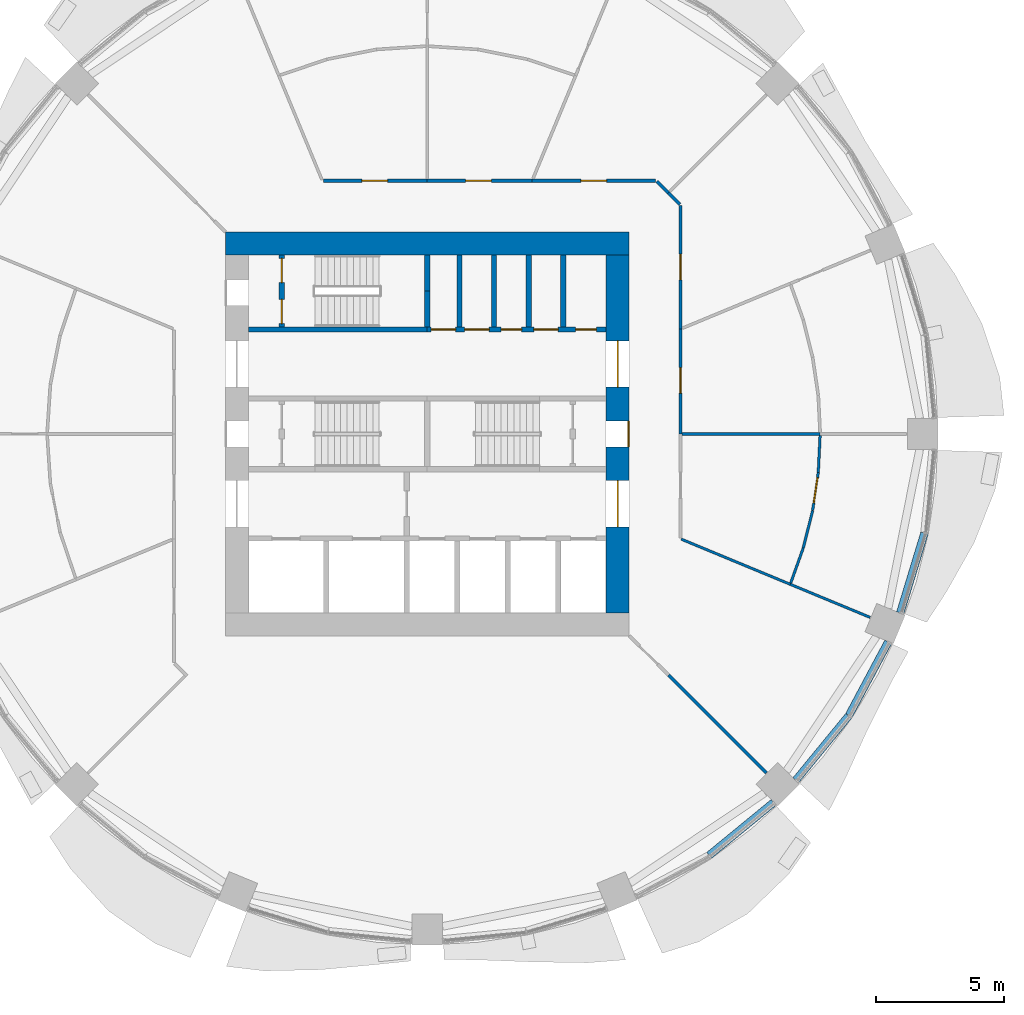
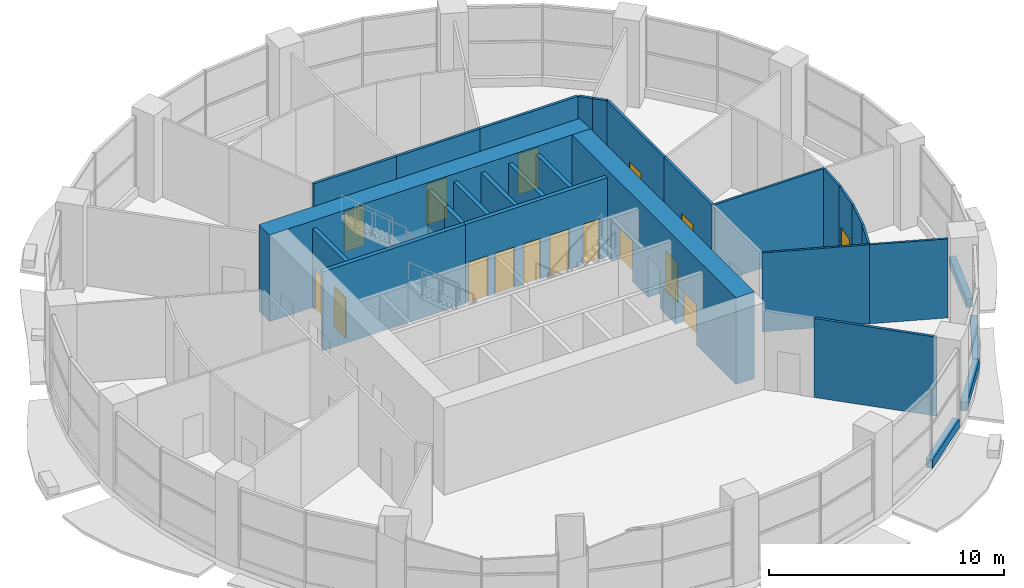
# One storey, part 9 of 14: 30 walls, 16 doors, 16 openings.
"""IFC4 building model written with IfcOpenShell, lengths in metres."""

from ifc_helpers import new_model, si_unit, direction, frame, frame_2d, origin, place, context, subcontext, project, spatial, rectangle, extrude, material, layer, layer_set, type_object, element, fill, save


model = new_model("IFC4")

# Units and contexts
model_context = context("Model", 3, precision=1e-05, world=origin(), true_north=direction((0.0, 1.0)))
body_context = subcontext(model_context, "Body", "Model", "MODEL_VIEW")
ifc_project = project(units=[si_unit("LENGTHUNIT", "METRE"), si_unit("AREAUNIT", "SQUARE_METRE"), si_unit("VOLUMEUNIT", "CUBIC_METRE"), si_unit("PLANEANGLEUNIT", "RADIAN"), si_unit("MASSUNIT", "GRAM", prefix="KILO")], contexts=[model_context])

# Site, building, storey
site_placement = place(None, origin())
site = spatial("IfcSite", under=ifc_project, at=site_placement, CompositionType="ELEMENT")
building_placement = place(site_placement, origin())
building = spatial("IfcBuilding", under=site, at=building_placement, Name="Polderwave Tower", CompositionType="ELEMENT")
storey_placement = place(building_placement, frame((0.0, 0.0, 9.89990234375)))
storey = spatial("IfcBuildingStorey", under=building, at=storey_placement, Name="L02", CompositionType="ELEMENT", Elevation=9.89990234375)

# Wall
ifc_material_1 = material(Name="Concrete C80/95", Category="concrete")
ifc_layer_1 = layer(ifc_material_1, 0.89990234375)
ifc_layer_set_1 = layer_set([ifc_layer_1], Name="CORE WALL 900 C80/95")
wall_type_1 = type_object("IfcWallType", Name="CORE WALL 900 C80/95", PredefinedType="SHEAR", material=ifc_layer_set_1)
wall_1_placement = place(storey_placement, frame((-7.8740234375, 7.424072265625, 0.0), z_axis=(0.0, 0.0, 1.0), x_axis=(1.0, 0.0, 0.0)))
element("IfcWall", 1, at=wall_1_placement, inside=storey, type_object=wall_type_1, Name="ST-CORE-L02-N", PredefinedType="SHEAR", context=body_context, shape_type="SweptSolid", body=[
    extrude(rectangle(XDim=15.748046875, YDim=0.89990234375, at=frame_2d((7.8740234375, 0.0))), origin(), (0.0, 0.0, 1.0), 4.5),
])

# Wall, openings, doors
wall_2_placement = place(storey_placement, frame((7.424072265625, -6.97412109375, 0.0), z_axis=(0.0, 0.0, 1.0), x_axis=(0.0, 1.0, 0.0)))
wall_2 = element("IfcWall", 2, at=wall_2_placement, inside=storey, type_object=wall_type_1, Name="ST-CORE-L02-E", PredefinedType="SHEAR", context=body_context, shape_type="SweptSolid", body=[
    extrude(rectangle(XDim=13.9482421875, YDim=0.89990234375, at=frame_2d((6.97412109375, 0.0))), origin(), (0.0, 0.0, 1.0), 4.5),
])
opening_1_placement = place(wall_2_placement, frame((6.47412109375, 0.0, 0.0)))
opening_1 = element("IfcOpeningElement", 3, at=opening_1_placement, cuts=wall_2, Name="Opening L02-D23", PredefinedType="OPENING", context=body_context, shape_type="SweptSolid", body=[
    extrude(rectangle(XDim=1.0, YDim=2.10009765625, at=frame_2d((0.5, 1.050048828125))), frame((0.0, 0.4599609375, 0.0), z_axis=(0.0, -1.0, 0.0), x_axis=(1.0, 0.0, 0.0)), (0.0, 0.0, 1.0), 0.919921875),
])
opening_2_placement = place(wall_2_placement, frame((3.349609375, 0.0, 0.0)))
opening_2 = element("IfcOpeningElement", 4, at=opening_2_placement, cuts=wall_2, Name="Opening L02-D24", PredefinedType="OPENING", context=body_context, shape_type="SweptSolid", body=[
    extrude(rectangle(XDim=1.800048828125, YDim=2.10009765625, at=frame_2d((0.89990234375, 1.050048828125))), frame((0.0, 0.4599609375, 0.0), z_axis=(0.0, -1.0, 0.0), x_axis=(1.0, 0.0, 0.0)), (0.0, 0.0, 1.0), 0.919921875),
])
opening_3_placement = place(wall_2_placement, frame((8.798583984375, 0.0, 0.0)))
opening_3 = element("IfcOpeningElement", 5, at=opening_3_placement, cuts=wall_2, Name="Opening L02-D25", PredefinedType="OPENING", context=body_context, shape_type="SweptSolid", body=[
    extrude(rectangle(XDim=1.800048828125, YDim=2.10009765625, at=frame_2d((0.89990234375, 1.050048828125))), frame((0.0, 0.4599609375, 0.0), z_axis=(0.0, -1.0, 0.0), x_axis=(1.0, 0.0, 0.0)), (0.0, 0.0, 1.0), 0.919921875),
])
ifc_material_2 = material(Name="Steel fire door", Category="steel")
door_type_1 = type_object("IfcDoorType", Name="Lobby entry door pair 1800", OperationType="DOUBLE_DOOR_SINGLE_SWING", PredefinedType="DOOR", material=ifc_material_2)
door_1_placement = place(opening_2_placement, frame((1.800048828125, 0.0, 0.0), z_axis=(0.0, 0.0, 1.0), x_axis=(-1.0, 0.0, 0.0)))
door_1 = element("IfcDoor", 6, at=door_1_placement, inside=storey, type_object=door_type_1, Name="South lobby entry door", OperationType="DOUBLE_DOOR_SINGLE_SWING", OverallHeight=2.10009765625, OverallWidth=1.800048828125, PredefinedType="DOOR", context=body_context, shape_type="SweptSolid", body=[
    extrude(rectangle(XDim=1.800048828125, YDim=2.10009765625, at=frame_2d((0.89990234375, 1.050048828125))), frame((0.0, 0.02490234375, 0.0), z_axis=(0.0, -1.0, 0.0), x_axis=(1.0, 0.0, 0.0)), (0.0, 0.0, 1.0), 0.050048828125),
])
fill(opening_2, door_1)
door_2_placement = place(opening_3_placement, frame((1.800048828125, 0.0, 0.0), z_axis=(0.0, 0.0, 1.0), x_axis=(-1.0, 0.0, 0.0)))
door_2 = element("IfcDoor", 7, at=door_2_placement, inside=storey, type_object=door_type_1, Name="North lobby entry door", OperationType="DOUBLE_DOOR_SINGLE_SWING", OverallHeight=2.10009765625, OverallWidth=1.800048828125, PredefinedType="DOOR", context=body_context, shape_type="SweptSolid", body=[
    extrude(rectangle(XDim=1.800048828125, YDim=2.10009765625, at=frame_2d((0.89990234375, 1.050048828125))), frame((0.0, 0.02490234375, 0.0), z_axis=(0.0, -1.0, 0.0), x_axis=(1.0, 0.0, 0.0)), (0.0, 0.0, 1.0), 0.050048828125),
])
fill(opening_3, door_2)
door_type_2 = type_object("IfcDoorType", Name="Stair door 1000", OperationType="NOTDEFINED", PredefinedType="DOOR", material=ifc_material_2)
door_3_placement = place(opening_1_placement, frame((1.0, 0.0, 0.0), z_axis=(0.0, 0.0, 1.0), x_axis=(-1.0, 0.0, 0.0)))
door_3 = element("IfcDoor", 8, at=door_3_placement, inside=storey, type_object=door_type_2, Name="Stair B entry door", OperationType="SINGLE_SWING_LEFT", OverallHeight=2.10009765625, OverallWidth=1.0, PredefinedType="DOOR", context=body_context, shape_type="SweptSolid", body=[
    extrude(rectangle(XDim=1.0, YDim=2.10009765625, at=frame_2d((0.5, 1.050048828125))), frame((0.0, 0.4501953125, 0.0), z_axis=(0.0, -1.0, 0.0), x_axis=(1.0, 0.0, 0.0)), (0.0, 0.0, 1.0), 0.050048828125),
])
fill(opening_1, door_3)

# Walls
ifc_material_3 = material(Name="Concrete C50/60 (board-marked)", Category="concrete")
ifc_layer_2 = layer(ifc_material_3, 0.300048828125)
ifc_layer_set_2 = layer_set([ifc_layer_2], Name="Concrete spandrel upstand C50/60")
wall_type_2 = type_object("IfcWallType", Name="Concrete spandrel upstand C50/60", PredefinedType="SOLIDWALL", material=ifc_layer_set_2)
for number, where, z_axis, x_axis, name in (
    (9, (10.99462890625, -16.428466796875, 0.0), (0.0, 0.0, 1.0), (0.773168912407, 0.634200152071, 0.0), "Spandrel L02 14b"),
    (10, (14.37060546875, -13.50341796875, 0.0), (0.0, 0.0, 1.0), (0.634200152071, 0.773168912407, 0.0), "Spandrel L02 15a"),
):
    element("IfcWall", number, at=place(storey_placement, frame(where, z_axis=z_axis, x_axis=x_axis)), inside=storey, type_object=wall_type_2, Name=name, PredefinedType="SOLIDWALL", context=body_context, shape_type="SweptSolid", body=[
        extrude(rectangle(XDim=3.244873046875, YDim=0.300048828125, at=frame_2d((1.62255859375, 0.0))), origin(), (0.0, 0.0, 1.0), 0.4501953125),
    ])
wall_3_placement = place(storey_placement, frame((16.445068359375, -10.9697265625, 0.0), z_axis=(0.0, 0.0, 1.0), x_axis=(0.471220846392, 0.882015257196, 0.0)))
element("IfcWall", 11, at=wall_3_placement, inside=storey, type_object=wall_type_2, Name="Spandrel L02 15b", PredefinedType="SOLIDWALL", context=body_context, shape_type="SweptSolid", body=[
    extrude(rectangle(XDim=3.244384765625, YDim=0.300048828125, at=frame_2d((1.6220703125, 0.0))), origin(), (0.0, 0.0, 1.0), 0.4501953125),
])
wall_4_placement = place(storey_placement, frame((18.443359375, -6.9755859375, 0.0), z_axis=(0.0, 0.0, 1.0), x_axis=(0.290418848098, 0.95689962518, 0.0)))
element("IfcWall", 12, at=wall_4_placement, inside=storey, type_object=wall_type_2, Name="Spandrel L02 16a", PredefinedType="SOLIDWALL", context=body_context, shape_type="SweptSolid", body=[
    extrude(rectangle(XDim=3.244140625, YDim=0.300048828125, at=frame_2d((1.6220703125, 0.0))), origin(), (0.0, 0.0, 1.0), 0.4501953125),
])
ifc_material_4 = material(Name="Gypsum board partition")
ifc_layer_3 = layer(ifc_material_4, 0.199951171875)
ifc_layer_set_3 = layer_set([ifc_layer_3], Name="Core room partition 200")
wall_type_3 = type_object("IfcWallType", Name="Core room partition 200", PredefinedType="PARTITIONING", material=ifc_layer_set_3)
for number, where, z_axis, x_axis, name in (
    (13, (1.260009765625, 4.174072265625, 0.0), (0.0, 0.0, 1.0), (0.0, 1.0, 0.0), "L02 room partition N1"),
    (14, (2.608642578125, 4.174072265625, 0.0), (0.0, 0.0, 1.0), (0.0, 1.0, 0.0), "L02 room partition N2"),
    (15, (3.95703125, 4.174072265625, 0.0), (0.0, 0.0, 1.0), (0.0, 1.0, 0.0), "L02 room partition N3"),
):
    element("IfcWall", number, at=place(storey_placement, frame(where, z_axis=z_axis, x_axis=x_axis)), inside=storey, type_object=wall_type_3, Name=name, PredefinedType="PARTITIONING", context=body_context, shape_type="SweptSolid", body=[
        extrude(rectangle(XDim=2.800048828125, YDim=0.199951171875, at=frame_2d((1.39990234375, 0.0))), origin(), (0.0, 0.0, 1.0), 4.10009765625),
    ])

# Wall, openings, doors
wall_5_placement = place(storey_placement, frame((-5.674072265625, 4.174072265625, 0.0), z_axis=(0.0, 0.0, 1.0), x_axis=(0.0, 1.0, 0.0)))
wall_5 = element("IfcWall", 16, at=wall_5_placement, inside=storey, type_object=wall_type_3, Name="L02 smoke lobby wall C", PredefinedType="PARTITIONING", context=body_context, shape_type="SweptSolid", body=[
    extrude(rectangle(XDim=2.800048828125, YDim=0.199951171875, at=frame_2d((1.39990234375, 0.0))), origin(), (0.0, 0.0, 1.0), 4.10009765625),
])
opening_4_placement = place(wall_5_placement, frame((0.125, 0.0, 0.0)))
opening_4 = element("IfcOpeningElement", 17, at=opening_4_placement, cuts=wall_5, Name="Opening L02-D11", PredefinedType="OPENING", context=body_context, shape_type="SweptSolid", body=[
    extrude(rectangle(XDim=0.949951171875, YDim=2.10009765625, at=frame_2d((0.47509765625, 1.050048828125))), frame((0.0, 0.10986328125, 0.0), z_axis=(0.0, -1.0, 0.0), x_axis=(1.0, 0.0, 0.0)), (0.0, 0.0, 1.0), 0.219970703125),
])
opening_5_placement = place(wall_5_placement, frame((1.72509765625, 0.0, 0.0)))
opening_5 = element("IfcOpeningElement", 18, at=opening_5_placement, cuts=wall_5, Name="Opening L02-D12", PredefinedType="OPENING", context=body_context, shape_type="SweptSolid", body=[
    extrude(rectangle(XDim=0.949951171875, YDim=2.10009765625, at=frame_2d((0.47509765625, 1.050048828125))), frame((0.0, 0.10986328125, 0.0), z_axis=(0.0, -1.0, 0.0), x_axis=(1.0, 0.0, 0.0)), (0.0, 0.0, 1.0), 0.219970703125),
])
door_type_3 = type_object("IfcDoorType", Name="Smoke lobby door 950", OperationType="NOTDEFINED", PredefinedType="DOOR", material=ifc_material_2)
door_4_placement = place(opening_4_placement, origin())
door_4 = element("IfcDoor", 19, at=door_4_placement, inside=storey, type_object=door_type_3, Name="Stair C smoke lobby inner door", OperationType="SINGLE_SWING_LEFT", OverallHeight=2.10009765625, OverallWidth=0.949951171875, PredefinedType="DOOR", context=body_context, shape_type="SweptSolid", body=[
    extrude(rectangle(XDim=0.949951171875, YDim=2.10009765625, at=frame_2d((0.47509765625, 1.050048828125))), frame((0.0, 0.02490234375, 0.0), z_axis=(0.0, -1.0, 0.0), x_axis=(1.0, 0.0, 0.0)), (0.0, 0.0, 1.0), 0.050048828125),
])
fill(opening_4, door_4)
door_5_placement = place(opening_5_placement, origin())
door_5 = element("IfcDoor", 20, at=door_5_placement, inside=storey, type_object=door_type_3, Name="Stair C smoke lobby inner door", OperationType="SINGLE_SWING_RIGHT", OverallHeight=2.10009765625, OverallWidth=0.949951171875, PredefinedType="DOOR", context=body_context, shape_type="SweptSolid", body=[
    extrude(rectangle(XDim=0.949951171875, YDim=2.10009765625, at=frame_2d((0.47509765625, 1.050048828125))), frame((0.0, 0.02490234375, 0.0), z_axis=(0.0, -1.0, 0.0), x_axis=(1.0, 0.0, 0.0)), (0.0, 0.0, 1.0), 0.050048828125),
])
fill(opening_5, door_5)

# Wall
ifc_material_5 = material(Name="Concrete C50/60", Category="concrete")
ifc_layer_4 = layer(ifc_material_5, 0.199951171875)
ifc_layer_set_4 = layer_set([ifc_layer_4], Name="Core web wall 200")
wall_type_4 = type_object("IfcWallType", Name="Core web wall 200", PredefinedType="SHEAR", material=ifc_layer_set_4)
wall_6_placement = place(storey_placement, frame((-6.97412109375, 4.073974609375, 0.0), z_axis=(0.0, 0.0, 1.0), x_axis=(1.0, 0.0, 0.0)))
element("IfcWall", 21, at=wall_6_placement, inside=storey, type_object=wall_type_4, Name="L02 north front wall 1", PredefinedType="SHEAR", context=body_context, shape_type="SweptSolid", body=[
    extrude(rectangle(XDim=6.97412109375, YDim=0.199951171875, at=frame_2d((3.487060546875, 0.0))), origin(), (0.0, 0.0, 1.0), 4.10009765625),
])

# Wall, openings, doors
wall_7_placement = place(storey_placement, frame((0.0, 4.073974609375, 0.0), z_axis=(0.0, 0.0, 1.0), x_axis=(1.0, 0.0, 0.0)))
wall_7 = element("IfcWall", 22, at=wall_7_placement, inside=storey, type_object=wall_type_4, Name="L02 north front wall 2", PredefinedType="SHEAR", context=body_context, shape_type="SweptSolid", body=[
    extrude(rectangle(XDim=6.97412109375, YDim=0.199951171875, at=frame_2d((3.487060546875, 0.0))), origin(), (0.0, 0.0, 1.0), 4.10009765625),
])
opening_6_placement = place(wall_7_placement, frame((0.155029296875, 0.0, 0.0)))
opening_6 = element("IfcOpeningElement", 23, at=opening_6_placement, cuts=wall_7, Name="Opening L02-D14", PredefinedType="OPENING", context=body_context, shape_type="SweptSolid", body=[
    extrude(rectangle(XDim=0.949951171875, YDim=2.10009765625, at=frame_2d((0.47509765625, 1.050048828125))), frame((0.0, 0.10986328125, 0.0), z_axis=(0.0, -1.0, 0.0), x_axis=(1.0, 0.0, 0.0)), (0.0, 0.0, 1.0), 0.219970703125),
])
opening_7_placement = place(wall_7_placement, frame((1.459228515625, 0.0, 0.0)))
opening_7 = element("IfcOpeningElement", 24, at=opening_7_placement, cuts=wall_7, Name="Opening L02-D15", PredefinedType="OPENING", context=body_context, shape_type="SweptSolid", body=[
    extrude(rectangle(XDim=0.949951171875, YDim=2.10009765625, at=frame_2d((0.47509765625, 1.050048828125))), frame((0.0, 0.10986328125, 0.0), z_axis=(0.0, -1.0, 0.0), x_axis=(1.0, 0.0, 0.0)), (0.0, 0.0, 1.0), 0.219970703125),
])
opening_8_placement = place(wall_7_placement, frame((2.8828125, 0.0, 0.0)))
opening_8 = element("IfcOpeningElement", 25, at=opening_8_placement, cuts=wall_7, Name="Opening L02-D16", PredefinedType="OPENING", context=body_context, shape_type="SweptSolid", body=[
    extrude(rectangle(XDim=0.800048828125, YDim=2.10009765625, at=frame_2d((0.39990234375, 1.050048828125))), frame((0.0, 0.10986328125, 0.0), z_axis=(0.0, -1.0, 0.0), x_axis=(1.0, 0.0, 0.0)), (0.0, 0.0, 1.0), 0.219970703125),
])
opening_9_placement = place(wall_7_placement, frame((4.15625, 0.0, 0.0)))
opening_9 = element("IfcOpeningElement", 26, at=opening_9_placement, cuts=wall_7, Name="Opening L02-D17", PredefinedType="OPENING", context=body_context, shape_type="SweptSolid", body=[
    extrude(rectangle(XDim=0.949951171875, YDim=2.10009765625, at=frame_2d((0.47509765625, 1.050048828125))), frame((0.0, 0.10986328125, 0.0), z_axis=(0.0, -1.0, 0.0), x_axis=(1.0, 0.0, 0.0)), (0.0, 0.0, 1.0), 0.219970703125),
])
opening_10_placement = place(wall_7_placement, frame((5.789794921875, 0.0, 0.0)))
opening_10 = element("IfcOpeningElement", 27, at=opening_10_placement, cuts=wall_7, Name="Opening L02-D18", PredefinedType="OPENING", context=body_context, shape_type="SweptSolid", body=[
    extrude(rectangle(XDim=0.800048828125, YDim=2.10009765625, at=frame_2d((0.39990234375, 1.050048828125))), frame((0.0, 0.10986328125, 0.0), z_axis=(0.0, -1.0, 0.0), x_axis=(1.0, 0.0, 0.0)), (0.0, 0.0, 1.0), 0.219970703125),
])
door_type_4 = type_object("IfcDoorType", Name="Riser door 800", OperationType="NOTDEFINED", PredefinedType="DOOR", material=ifc_material_2)
door_6_placement = place(opening_8_placement, frame((0.800048828125, 0.0, 0.0), z_axis=(0.0, 0.0, 1.0), x_axis=(-1.0, 0.0, 0.0)))
door_6 = element("IfcDoor", 28, at=door_6_placement, inside=storey, type_object=door_type_4, Name="Electrical room door", OperationType="SINGLE_SWING_RIGHT", OverallHeight=2.10009765625, OverallWidth=0.800048828125, PredefinedType="DOOR", context=body_context, shape_type="SweptSolid", body=[
    extrude(rectangle(XDim=0.800048828125, YDim=2.10009765625, at=frame_2d((0.39990234375, 1.050048828125))), frame((0.0, 0.02490234375, 0.0), z_axis=(0.0, -1.0, 0.0), x_axis=(1.0, 0.0, 0.0)), (0.0, 0.0, 1.0), 0.050048828125),
])
fill(opening_8, door_6)
door_7_placement = place(opening_10_placement, frame((0.800048828125, 0.0, 0.0), z_axis=(0.0, 0.0, 1.0), x_axis=(-1.0, 0.0, 0.0)))
door_7 = element("IfcDoor", 29, at=door_7_placement, inside=storey, type_object=door_type_4, Name="Riser door", OperationType="SINGLE_SWING_LEFT", OverallHeight=2.10009765625, OverallWidth=0.800048828125, PredefinedType="DOOR", context=body_context, shape_type="SweptSolid", body=[
    extrude(rectangle(XDim=0.800048828125, YDim=2.10009765625, at=frame_2d((0.39990234375, 1.050048828125))), frame((0.0, 0.02490234375, 0.0), z_axis=(0.0, -1.0, 0.0), x_axis=(1.0, 0.0, 0.0)), (0.0, 0.0, 1.0), 0.050048828125),
])
fill(opening_10, door_7)
ifc_material_6 = material(Name="Timber door leaf", Category="wood")
door_type_5 = type_object("IfcDoorType", Name="Room door 950", OperationType="NOTDEFINED", PredefinedType="DOOR", material=ifc_material_6)
door_8_placement = place(opening_6_placement, origin())
door_8 = element("IfcDoor", 30, at=door_8_placement, inside=storey, type_object=door_type_5, Name="Staff WC door", OperationType="SINGLE_SWING_LEFT", OverallHeight=2.10009765625, OverallWidth=0.949951171875, PredefinedType="DOOR", context=body_context, shape_type="SweptSolid", body=[
    extrude(rectangle(XDim=0.949951171875, YDim=2.10009765625, at=frame_2d((0.47509765625, 1.050048828125))), frame((0.0, 0.02490234375, 0.0), z_axis=(0.0, -1.0, 0.0), x_axis=(1.0, 0.0, 0.0)), (0.0, 0.0, 1.0), 0.050048828125),
])
fill(opening_6, door_8)
door_9_placement = place(opening_7_placement, origin())
door_9 = element("IfcDoor", 31, at=door_9_placement, inside=storey, type_object=door_type_5, Name="Store door", OperationType="SINGLE_SWING_LEFT", OverallHeight=2.10009765625, OverallWidth=0.949951171875, PredefinedType="DOOR", context=body_context, shape_type="SweptSolid", body=[
    extrude(rectangle(XDim=0.949951171875, YDim=2.10009765625, at=frame_2d((0.47509765625, 1.050048828125))), frame((0.0, 0.02490234375, 0.0), z_axis=(0.0, -1.0, 0.0), x_axis=(1.0, 0.0, 0.0)), (0.0, 0.0, 1.0), 0.050048828125),
])
fill(opening_7, door_9)
door_10_placement = place(opening_9_placement, origin())
door_10 = element("IfcDoor", 32, at=door_10_placement, inside=storey, type_object=door_type_5, Name="IT room door", OperationType="SINGLE_SWING_RIGHT", OverallHeight=2.10009765625, OverallWidth=0.949951171875, PredefinedType="DOOR", context=body_context, shape_type="SweptSolid", body=[
    extrude(rectangle(XDim=0.949951171875, YDim=2.10009765625, at=frame_2d((0.47509765625, 1.050048828125))), frame((0.0, 0.02490234375, 0.0), z_axis=(0.0, -1.0, 0.0), x_axis=(1.0, 0.0, 0.0)), (0.0, 0.0, 1.0), 0.050048828125),
])
fill(opening_9, door_10)

# Walls
wall_8_placement = place(storey_placement, frame((0.0, 4.174072265625, 0.0), z_axis=(0.0, 0.0, 1.0), x_axis=(0.0, 1.0, 0.0)))
element("IfcWall", 33, at=wall_8_placement, inside=storey, type_object=wall_type_4, Name="L02 stair C wall south", PredefinedType="SHEAR", context=body_context, shape_type="SweptSolid", body=[
    extrude(rectangle(XDim=1.39990234375, YDim=0.199951171875, at=frame_2d((0.699951171875, 0.0))), origin(), (0.0, 0.0, 1.0), 4.10009765625),
])
wall_9_placement = place(storey_placement, frame((0.0, 5.573974609375, 0.0), z_axis=(0.0, 0.0, 1.0), x_axis=(0.0, 1.0, 0.0)))
element("IfcWall", 34, at=wall_9_placement, inside=storey, type_object=wall_type_4, Name="L02 stair C wall north", PredefinedType="SHEAR", context=body_context, shape_type="SweptSolid", body=[
    extrude(rectangle(XDim=1.400146484375, YDim=0.199951171875, at=frame_2d((0.7001953125, 0.0))), origin(), (0.0, 0.0, 1.0), 4.10009765625),
])

# Wall, opening, door
ifc_material_7 = material(Name="Fire-resisting board on steel studs", Category="steel")
ifc_layer_5 = layer(ifc_material_7, 0.125)
ifc_layer_set_5 = layer_set([ifc_layer_5], Name="Corridor wall 125 mm EI 60")
wall_type_5 = type_object("IfcWallType", Name="Corridor wall 125 mm EI 60", PredefinedType="PARTITIONING", material=ifc_layer_set_5)
wall_10_placement = place(storey_placement, frame((9.8740234375, 4.08984375, 0.0), z_axis=(0.0, 0.0, 1.0), x_axis=(0.0, -1.0, 0.0)))
wall_10 = element("IfcWall", 35, at=wall_10_placement, inside=storey, type_object=wall_type_5, Name="IN-L02-W002", PredefinedType="PARTITIONING", context=body_context, shape_type="SweptSolid", body=[
    extrude(rectangle(XDim=4.08984375, YDim=0.125, at=frame_2d((2.044921875, 0.0))), origin(), (0.0, 0.0, 1.0), 4.10009765625),
])
opening_11_placement = place(wall_10_placement, frame((1.5, 0.0, 0.0)))
opening_11 = element("IfcOpeningElement", 36, at=opening_11_placement, cuts=wall_10, Name="Opening L02-D51", PredefinedType="OPENING", context=body_context, shape_type="SweptSolid", body=[
    extrude(rectangle(XDim=1.0, YDim=2.10009765625, at=frame_2d((0.5, 1.050048828125))), frame((0.0, 0.072509765625, 0.0), z_axis=(0.0, -1.0, 0.0), x_axis=(1.0, 0.0, 0.0)), (0.0, 0.0, 1.0), 0.14501953125),
])
ifc_material_8 = material(Name="Timber fire door leaf", Category="wood")
door_type_6 = type_object("IfcDoorType", Name="Fire door FD30S 1000 x 2100", OperationType="NOTDEFINED", PredefinedType="DOOR", material=ifc_material_8)
door_11_placement = place(opening_11_placement, origin())
door_11 = element("IfcDoor", 37, at=door_11_placement, inside=storey, type_object=door_type_6, Name="Door L02-D51", OperationType="SINGLE_SWING_LEFT", OverallHeight=2.10009765625, OverallWidth=1.0, PredefinedType="DOOR", context=body_context, shape_type="SweptSolid", body=[
    extrude(rectangle(XDim=1.0, YDim=2.10009765625, at=frame_2d((0.5, 1.050048828125))), frame((0.0, 0.02490234375, 0.0), z_axis=(0.0, -1.0, 0.0), x_axis=(1.0, 0.0, 0.0)), (0.0, 0.0, 1.0), 0.050048828125),
])
fill(opening_11, door_11)

# Wall
wall_11_placement = place(storey_placement, frame((9.404541015625, 9.404541015625, 0.0), z_axis=(0.0, 0.0, 1.0), x_axis=(0.707106781187, -0.707106781187, 0.0)))
element("IfcWall", 38, at=wall_11_placement, inside=storey, type_object=wall_type_5, Name="IN-L02-W003", PredefinedType="PARTITIONING", context=body_context, shape_type="SweptSolid", body=[
    extrude(rectangle(XDim=0.637939453125, YDim=0.125, at=frame_2d((0.31884765625, 0.0))), origin(), (0.0, 0.0, 1.0), 4.10009765625),
])

# Wall, opening, door
wall_12_placement = place(storey_placement, frame((9.8740234375, 8.9091796875, 0.0), z_axis=(0.0, 0.0, 1.0), x_axis=(0.0, -1.0, 0.0)))
wall_12 = element("IfcWall", 39, at=wall_12_placement, inside=storey, type_object=wall_type_5, Name="IN-L02-W004", PredefinedType="PARTITIONING", context=body_context, shape_type="SweptSolid", body=[
    extrude(rectangle(XDim=4.8193359375, YDim=0.125, at=frame_2d((2.40966796875, 0.0))), origin(), (0.0, 0.0, 1.0), 4.10009765625),
])
opening_12_placement = place(wall_12_placement, frame((1.89990234375, 0.0, 0.0)))
opening_12 = element("IfcOpeningElement", 40, at=opening_12_placement, cuts=wall_12, Name="Opening L02-D52", PredefinedType="OPENING", context=body_context, shape_type="SweptSolid", body=[
    extrude(rectangle(XDim=1.0, YDim=2.10009765625, at=frame_2d((0.5, 1.050048828125))), frame((0.0, 0.072509765625, 0.0), z_axis=(0.0, -1.0, 0.0), x_axis=(1.0, 0.0, 0.0)), (0.0, 0.0, 1.0), 0.14501953125),
])
door_12_placement = place(opening_12_placement, origin())
door_12 = element("IfcDoor", 41, at=door_12_placement, inside=storey, type_object=door_type_6, Name="Door L02-D52", OperationType="SINGLE_SWING_LEFT", OverallHeight=2.10009765625, OverallWidth=1.0, PredefinedType="DOOR", context=body_context, shape_type="SweptSolid", body=[
    extrude(rectangle(XDim=1.0, YDim=2.10009765625, at=frame_2d((0.5, 1.050048828125))), frame((0.0, 0.02490234375, 0.0), z_axis=(0.0, -1.0, 0.0), x_axis=(1.0, 0.0, 0.0)), (0.0, 0.0, 1.0), 0.050048828125),
])
fill(opening_12, door_12)

wall_13_placement = place(storey_placement, frame((4.08984375, 9.8740234375, 0.0), z_axis=(0.0, 0.0, 1.0), x_axis=(1.0, 0.0, 0.0)))
wall_13 = element("IfcWall", 42, at=wall_13_placement, inside=storey, type_object=wall_type_5, Name="IN-L02-W007", PredefinedType="PARTITIONING", context=body_context, shape_type="SweptSolid", body=[
    extrude(rectangle(XDim=4.8193359375, YDim=0.125, at=frame_2d((2.40966796875, 0.0))), origin(), (0.0, 0.0, 1.0), 4.10009765625),
])
opening_13_placement = place(wall_13_placement, frame((1.89990234375, 0.0, 0.0)))
opening_13 = element("IfcOpeningElement", 43, at=opening_13_placement, cuts=wall_13, Name="Opening L02-D55", PredefinedType="OPENING", context=body_context, shape_type="SweptSolid", body=[
    extrude(rectangle(XDim=1.0, YDim=2.10009765625, at=frame_2d((0.5, 1.050048828125))), frame((0.0, 0.072509765625, 0.0), z_axis=(0.0, -1.0, 0.0), x_axis=(1.0, 0.0, 0.0)), (0.0, 0.0, 1.0), 0.14501953125),
])
door_13_placement = place(opening_13_placement, origin())
door_13 = element("IfcDoor", 44, at=door_13_placement, inside=storey, type_object=door_type_6, Name="Door L02-D55", OperationType="SINGLE_SWING_LEFT", OverallHeight=2.10009765625, OverallWidth=1.0, PredefinedType="DOOR", context=body_context, shape_type="SweptSolid", body=[
    extrude(rectangle(XDim=1.0, YDim=2.10009765625, at=frame_2d((0.5, 1.050048828125))), frame((0.0, 0.02490234375, 0.0), z_axis=(0.0, -1.0, 0.0), x_axis=(1.0, 0.0, 0.0)), (0.0, 0.0, 1.0), 0.050048828125),
])
fill(opening_13, door_13)

# Wall
wall_14_placement = place(storey_placement, frame((8.953369140625, 9.855712890625, 0.0), z_axis=(0.0, 0.0, 1.0), x_axis=(0.707106781187, -0.707106781187, 0.0)))
element("IfcWall", 45, at=wall_14_placement, inside=storey, type_object=wall_type_5, Name="IN-L02-W008", PredefinedType="PARTITIONING", context=body_context, shape_type="SweptSolid", body=[
    extrude(rectangle(XDim=0.637939453125, YDim=0.125, at=frame_2d((0.31884765625, 0.0))), origin(), (0.0, 0.0, 1.0), 4.10009765625),
])

# Wall, opening, door
wall_15_placement = place(storey_placement, frame((0.0, 9.8740234375, 0.0), z_axis=(0.0, 0.0, 1.0), x_axis=(1.0, 0.0, 0.0)))
wall_15 = element("IfcWall", 46, at=wall_15_placement, inside=storey, type_object=wall_type_5, Name="IN-L02-W009", PredefinedType="PARTITIONING", context=body_context, shape_type="SweptSolid", body=[
    extrude(rectangle(XDim=4.08984375, YDim=0.125, at=frame_2d((2.044921875, 0.0))), origin(), (0.0, 0.0, 1.0), 4.10009765625),
])
opening_14_placement = place(wall_15_placement, frame((1.5, 0.0, 0.0)))
opening_14 = element("IfcOpeningElement", 47, at=opening_14_placement, cuts=wall_15, Name="Opening L02-D56", PredefinedType="OPENING", context=body_context, shape_type="SweptSolid", body=[
    extrude(rectangle(XDim=1.0, YDim=2.10009765625, at=frame_2d((0.5, 1.050048828125))), frame((0.0, 0.072509765625, 0.0), z_axis=(0.0, -1.0, 0.0), x_axis=(1.0, 0.0, 0.0)), (0.0, 0.0, 1.0), 0.14501953125),
])
door_14_placement = place(opening_14_placement, origin())
door_14 = element("IfcDoor", 48, at=door_14_placement, inside=storey, type_object=door_type_6, Name="Door L02-D56", OperationType="SINGLE_SWING_LEFT", OverallHeight=2.10009765625, OverallWidth=1.0, PredefinedType="DOOR", context=body_context, shape_type="SweptSolid", body=[
    extrude(rectangle(XDim=1.0, YDim=2.10009765625, at=frame_2d((0.5, 1.050048828125))), frame((0.0, 0.02490234375, 0.0), z_axis=(0.0, -1.0, 0.0), x_axis=(1.0, 0.0, 0.0)), (0.0, 0.0, 1.0), 0.050048828125),
])
fill(opening_14, door_14)

wall_16_placement = place(storey_placement, frame((-4.048095703125, 9.8740234375, 0.0), z_axis=(0.0, 0.0, 1.0), x_axis=(1.0, 0.0, 0.0)))
wall_16 = element("IfcWall", 49, at=wall_16_placement, inside=storey, type_object=wall_type_5, Name="IN-L02-W010", PredefinedType="PARTITIONING", context=body_context, shape_type="SweptSolid", body=[
    extrude(rectangle(XDim=4.048095703125, YDim=0.125, at=frame_2d((2.02392578125, 0.0))), origin(), (0.0, 0.0, 1.0), 4.10009765625),
])
opening_15_placement = place(wall_16_placement, frame((1.5, 0.0, 0.0)))
opening_15 = element("IfcOpeningElement", 50, at=opening_15_placement, cuts=wall_16, Name="Opening L02-D57", PredefinedType="OPENING", context=body_context, shape_type="SweptSolid", body=[
    extrude(rectangle(XDim=1.0, YDim=2.10009765625, at=frame_2d((0.5, 1.050048828125))), frame((0.0, 0.072509765625, 0.0), z_axis=(0.0, -1.0, 0.0), x_axis=(1.0, 0.0, 0.0)), (0.0, 0.0, 1.0), 0.14501953125),
])
door_15_placement = place(opening_15_placement, origin())
door_15 = element("IfcDoor", 51, at=door_15_placement, inside=storey, type_object=door_type_6, Name="Door L02-D57", OperationType="SINGLE_SWING_LEFT", OverallHeight=2.10009765625, OverallWidth=1.0, PredefinedType="DOOR", context=body_context, shape_type="SweptSolid", body=[
    extrude(rectangle(XDim=1.0, YDim=2.10009765625, at=frame_2d((0.5, 1.050048828125))), frame((0.0, 0.02490234375, 0.0), z_axis=(0.0, -1.0, 0.0), x_axis=(1.0, 0.0, 0.0)), (0.0, 0.0, 1.0), 0.050048828125),
])
fill(opening_15, door_15)

# Walls
wall_17_placement = place(storey_placement, frame((9.404541015625, -9.404541015625, 0.0), z_axis=(0.0, 0.0, 1.0), x_axis=(0.707106781187, -0.707106781187, 0.0)))
element("IfcWall", 52, at=wall_17_placement, inside=storey, type_object=wall_type_5, Name="IN-L02-W050", PredefinedType="PARTITIONING", context=body_context, shape_type="SweptSolid", body=[
    extrude(rectangle(XDim=5.389892578125, YDim=0.125, at=frame_2d((2.69482421875, 0.0))), origin(), (0.0, 0.0, 1.0), 4.10009765625),
])
ifc_material_9 = material(Name="Plasterboard on steel studs", Category="steel")
ifc_layer_6 = layer(ifc_material_9, 0.10009765625)
ifc_layer_set_6 = layer_set([ifc_layer_6], Name="Partition 100 mm plasterboard on steel studs")
wall_type_6 = type_object("IfcWallType", Name="Partition 100 mm plasterboard on steel studs", PredefinedType="PARTITIONING", material=ifc_layer_set_6)
wall_18_placement = place(storey_placement, frame((14.15380859375, -5.86279296875, 0.0), z_axis=(0.0, 0.0, 1.0), x_axis=(0.923891456562, -0.382654643892, 0.0)))
element("IfcWall", 53, at=wall_18_placement, inside=storey, type_object=wall_type_6, Name="IN-L02-W051", PredefinedType="PARTITIONING", context=body_context, shape_type="SweptSolid", body=[
    extrude(rectangle(XDim=3.3701171875, YDim=0.10009765625, at=frame_2d((1.68505859375, 0.0))), origin(), (0.0, 0.0, 1.0), 4.10009765625),
])
wall_19_placement = place(storey_placement, frame((9.90478515625, -4.102783203125, 0.0), z_axis=(0.0, 0.0, 1.0), x_axis=(0.923879022759, -0.382684663013, 0.0)))
element("IfcWall", 54, at=wall_19_placement, inside=storey, type_object=wall_type_6, Name="IN-L02-W052", PredefinedType="PARTITIONING", context=body_context, shape_type="SweptSolid", body=[
    extrude(rectangle(XDim=4.59912109375, YDim=0.10009765625, at=frame_2d((2.299560546875, 0.0))), origin(), (0.0, 0.0, 1.0), 4.10009765625),
])
wall_20_placement = place(storey_placement, frame((14.17138671875, -5.813232421875, 0.0), z_axis=(0.0, 0.0, 1.0), x_axis=(0.336934267235, 0.941528172474, 0.0)))
element("IfcWall", 55, at=wall_20_placement, inside=storey, type_object=wall_type_6, Name="IN-L02-W053", PredefinedType="PARTITIONING", context=body_context, shape_type="SweptSolid", body=[
    extrude(rectangle(XDim=1.448486328125, YDim=0.10009765625, at=frame_2d((0.72412109375, 0.0))), origin(), (0.0, 0.0, 1.0), 4.10009765625),
])
wall_21_placement = place(storey_placement, frame((14.660888671875, -4.44482421875, 0.0), z_axis=(0.0, 0.0, 1.0), x_axis=(0.24291895554, 0.970046587046, 0.0)))
element("IfcWall", 56, at=wall_21_placement, inside=storey, type_object=wall_type_6, Name="IN-L02-W054", PredefinedType="PARTITIONING", context=body_context, shape_type="SweptSolid", body=[
    extrude(rectangle(XDim=1.49853515625, YDim=0.10009765625, at=frame_2d((0.749267578125, 0.0))), origin(), (0.0, 0.0, 1.0), 4.10009765625),
])

# Wall, opening, door
wall_22_placement = place(storey_placement, frame((15.245849609375, -1.50390625, 0.0), z_axis=(0.0, 0.0, 1.0), x_axis=(-0.146778913129, -0.989169323554, 0.0)))
wall_22 = element("IfcWall", 57, at=wall_22_placement, inside=storey, type_object=wall_type_6, Name="IN-L02-W055", PredefinedType="PARTITIONING", context=body_context, shape_type="SweptSolid", body=[
    extrude(rectangle(XDim=1.49853515625, YDim=0.10009765625, at=frame_2d((0.749267578125, 0.0))), origin(), (0.0, 0.0, 1.0), 4.10009765625),
])
opening_16_placement = place(wall_22_placement, frame((0.199951171875, 0.0, 0.0)))
opening_16 = element("IfcOpeningElement", 58, at=opening_16_placement, cuts=wall_22, Name="Opening L02-D66", PredefinedType="OPENING", context=body_context, shape_type="SweptSolid", body=[
    extrude(rectangle(XDim=1.0, YDim=2.10009765625, at=frame_2d((0.5, 1.050048828125))), frame((0.0, 0.06005859375, 0.0), z_axis=(0.0, -1.0, 0.0), x_axis=(1.0, 0.0, 0.0)), (0.0, 0.0, 1.0), 0.1201171875),
])
ifc_material_10 = material(Name="Timber veneer door leaf", Category="wood")
door_type_7 = type_object("IfcDoorType", Name="Single door 1000 x 2100", OperationType="NOTDEFINED", PredefinedType="DOOR", material=ifc_material_10)
door_16_placement = place(opening_16_placement, origin())
door_16 = element("IfcDoor", 59, at=door_16_placement, inside=storey, type_object=door_type_7, Name="Door L02-D66", OperationType="SINGLE_SWING_LEFT", OverallHeight=2.10009765625, OverallWidth=1.0, PredefinedType="DOOR", context=body_context, shape_type="SweptSolid", body=[
    extrude(rectangle(XDim=1.0, YDim=2.10009765625, at=frame_2d((0.5, 1.050048828125))), frame((0.0, 0.02490234375, 0.0), z_axis=(0.0, -1.0, 0.0), x_axis=(1.0, 0.0, 0.0)), (0.0, 0.0, 1.0), 0.050048828125),
])
fill(opening_16, door_16)

# Walls
wall_23_placement = place(storey_placement, frame((15.246337890625, -1.4990234375, 0.0), z_axis=(0.0, 0.0, 1.0), x_axis=(0.049137528051, 0.998792022063, 0.0)))
element("IfcWall", 60, at=wall_23_placement, inside=storey, type_object=wall_type_6, Name="IN-L02-W056", PredefinedType="PARTITIONING", context=body_context, shape_type="SweptSolid", body=[
    extrude(rectangle(XDim=1.44580078125, YDim=0.10009765625, at=frame_2d((0.722900390625, 0.0))), origin(), (0.0, 0.0, 1.0), 4.10009765625),
])
ifc_material_11 = material(Name="Moisture-resistant board on steel studs, tiled", Category="steel")
ifc_layer_7 = layer(ifc_material_11, 0.10498046875)
ifc_layer_set_7 = layer_set([ifc_layer_7], Name="Partition 105 mm wet room board and tile")
wall_type_7 = type_object("IfcWallType", Name="Partition 105 mm wet room board and tile", PredefinedType="PARTITIONING", material=ifc_layer_set_7)
wall_24_placement = place(storey_placement, frame((15.320068359375, 0.0, 0.0), z_axis=(0.0, 0.0, 1.0), x_axis=(-1.0, 0.0, 0.0)))
element("IfcWall", 61, at=wall_24_placement, inside=storey, type_object=wall_type_7, Name="IN-L02-W020", PredefinedType="PARTITIONING", context=body_context, shape_type="SweptSolid", body=[
    extrude(rectangle(XDim=5.383544921875, YDim=0.10498046875, at=frame_2d((2.69189453125, 0.0))), origin(), (0.0, 0.0, 1.0), 4.10009765625),
])
ifc_material_12 = material(Name="Gypsum shaft wall system")
ifc_layer_8 = layer(ifc_material_12, 0.199951171875)
ifc_layer_set_8 = layer_set([ifc_layer_8], Name="Shaft wall 200")
wall_type_8 = type_object("IfcWallType", Name="Shaft wall 200", PredefinedType="PARTITIONING", material=ifc_layer_set_8)
wall_25_placement = place(storey_placement, frame((5.305419921875, 4.174072265625, 0.0), z_axis=(0.0, 0.0, 1.0), x_axis=(0.0, 1.0, 0.0)))
element("IfcWall", 62, at=wall_25_placement, inside=storey, type_object=wall_type_8, Name="L02 riser wall", PredefinedType="PARTITIONING", context=body_context, shape_type="SweptSolid", body=[
    extrude(rectangle(XDim=2.800048828125, YDim=0.199951171875, at=frame_2d((1.39990234375, 0.0))), origin(), (0.0, 0.0, 1.0), 4.10009765625),
])

save(model, "model.ifc")
